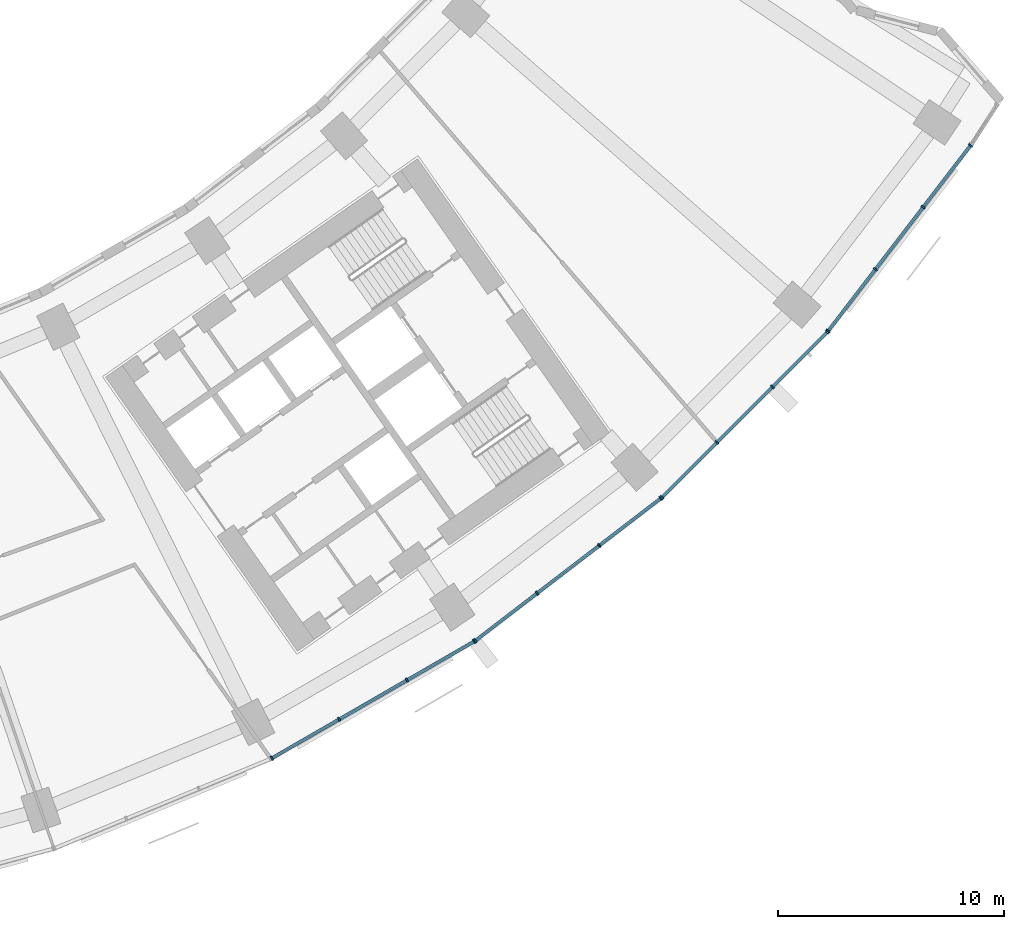
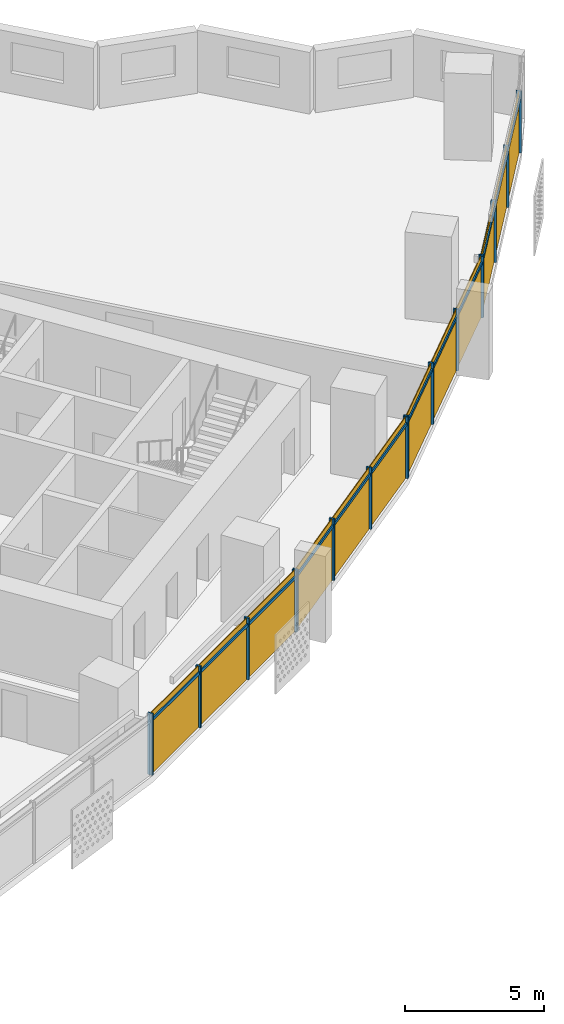
# One storey, part 23 of 31: 28 members, 4 curtain walls.
"""IFC4 building model written with IfcOpenShell, lengths in metres."""

from ifc_helpers import new_model, si_unit, direction, frame, origin, origin_2d, place, context, subcontext, project, spatial, rectangle, extrude, material, material_profile, profile_set, type_object, element, aggregate, save


model = new_model("IFC4")

# Units and contexts
model_context = context("Model", 3, precision=1e-05, world=origin(), true_north=direction((0.0, 1.0)))
body_context = subcontext(model_context, "Body", "Model", "MODEL_VIEW")
ifc_project = project(units=[si_unit("LENGTHUNIT", "METRE"), si_unit("AREAUNIT", "SQUARE_METRE"), si_unit("VOLUMEUNIT", "CUBIC_METRE"), si_unit("PLANEANGLEUNIT", "RADIAN"), si_unit("MASSUNIT", "GRAM", prefix="KILO")], contexts=[model_context])

# Member
ifc_material = material(Name="Aluminium 6063-T6 anodised", Category="aluminium")
ifc_material_profile_1 = material_profile(ifc_material, rectangle(XDim=0.199951171875, YDim=0.070068359375, at=origin_2d()))
ifc_profile_set_1 = profile_set([ifc_material_profile_1], Name="Aluminium 6063-T6 anodised")
member_type_1 = type_object("IfcMemberType", Name="Mullion 70 x 200 aluminium", PredefinedType="MULLION", material=ifc_profile_set_1)
site_placement = place(None, origin())
building_placement = place(site_placement, origin())
storey_placement = place(building_placement, frame((0.0, 0.0, 59.5)))
member_1_placement = place(storey_placement, frame((35.20849609375, -71.331787109375, 0.0), z_axis=(0.0, 0.0, 1.0), x_axis=(-0.5, 0.866025403784, 0.0)))
member_1 = element("IfcMember", 1, at=member_1_placement, type_object=member_type_1, Name="e-cw1-L11-out12/M00", PredefinedType="MULLION", context=body_context, shape_type="SweptSolid", body=[
    extrude(rectangle(XDim=0.199951171875, YDim=0.070068359375, at=origin_2d()), origin(), (0.0, 0.0, 1.0), 2.699951171875),
])

member_2_placement = place(storey_placement, frame((38.18603515625, -69.61279296875, 0.0), z_axis=(0.0, 0.0, 1.0), x_axis=(-0.5, 0.866025403784, 0.0)))
member_2 = element("IfcMember", 2, at=member_2_placement, type_object=member_type_1, Name="e-cw1-L11-out12/M01", PredefinedType="MULLION", context=body_context, shape_type="SweptSolid", body=[
    extrude(rectangle(XDim=0.199951171875, YDim=0.070068359375, at=origin_2d()), origin(), (0.0, 0.0, 1.0), 2.699951171875),
])

member_3_placement = place(storey_placement, frame((41.193603515625, -67.87646484375, 0.0), z_axis=(0.0, 0.0, 1.0), x_axis=(-0.5, 0.866025403784, 0.0)))
member_3 = element("IfcMember", 3, at=member_3_placement, type_object=member_type_1, Name="e-cw1-L11-out12/M02", PredefinedType="MULLION", context=body_context, shape_type="SweptSolid", body=[
    extrude(rectangle(XDim=0.199951171875, YDim=0.070068359375, at=origin_2d()), origin(), (0.0, 0.0, 1.0), 2.699951171875),
])

member_4_placement = place(storey_placement, frame((44.1708984375, -66.157470703125, 0.0), z_axis=(0.0, 0.0, 1.0), x_axis=(-0.5, 0.866025403784, 0.0)))
member_4 = element("IfcMember", 4, at=member_4_placement, type_object=member_type_1, Name="e-cw1-L11-out12/M03", PredefinedType="MULLION", context=body_context, shape_type="SweptSolid", body=[
    extrude(rectangle(XDim=0.199951171875, YDim=0.070068359375, at=origin_2d()), origin(), (0.0, 0.0, 1.0), 2.699951171875),
])

member_5_placement = place(storey_placement, frame((44.218017578125, -66.1259765625, 0.0), z_axis=(0.0, 0.0, 1.0), x_axis=(-0.608761429009, 0.793353340291, 0.0)))
member_5 = element("IfcMember", 5, at=member_5_placement, type_object=member_type_1, Name="e-cw1-L11-out13/M00", PredefinedType="MULLION", context=body_context, shape_type="SweptSolid", body=[
    extrude(rectangle(XDim=0.199951171875, YDim=0.070068359375, at=origin_2d()), origin(), (0.0, 0.0, 1.0), 2.699951171875),
])

member_6_placement = place(storey_placement, frame((46.945556640625, -64.032958984375, 0.0), z_axis=(0.0, 0.0, 1.0), x_axis=(-0.608761429009, 0.793353340291, 0.0)))
member_6 = element("IfcMember", 6, at=member_6_placement, type_object=member_type_1, Name="e-cw1-L11-out13/M01", PredefinedType="MULLION", context=body_context, shape_type="SweptSolid", body=[
    extrude(rectangle(XDim=0.199951171875, YDim=0.070068359375, at=origin_2d()), origin(), (0.0, 0.0, 1.0), 2.699951171875),
])

member_7_placement = place(storey_placement, frame((49.70068359375, -61.9189453125, 0.0), z_axis=(0.0, 0.0, 1.0), x_axis=(-0.608761429009, 0.793353340291, 0.0)))
member_7 = element("IfcMember", 7, at=member_7_placement, type_object=member_type_1, Name="e-cw1-L11-out13/M02", PredefinedType="MULLION", context=body_context, shape_type="SweptSolid", body=[
    extrude(rectangle(XDim=0.199951171875, YDim=0.070068359375, at=origin_2d()), origin(), (0.0, 0.0, 1.0), 2.699951171875),
])

member_8_placement = place(storey_placement, frame((52.42822265625, -59.825927734375, 0.0), z_axis=(0.0, 0.0, 1.0), x_axis=(-0.608761429009, 0.793353340291, 0.0)))
member_8 = element("IfcMember", 8, at=member_8_placement, type_object=member_type_1, Name="e-cw1-L11-out13/M03", PredefinedType="MULLION", context=body_context, shape_type="SweptSolid", body=[
    extrude(rectangle(XDim=0.199951171875, YDim=0.070068359375, at=origin_2d()), origin(), (0.0, 0.0, 1.0), 2.699951171875),
])

member_9_placement = place(storey_placement, frame((52.470947265625, -59.78857421875, 0.0), z_axis=(0.0, 0.0, 1.0), x_axis=(-0.707106781187, 0.707106781187, 0.0)))
member_9 = element("IfcMember", 9, at=member_9_placement, type_object=member_type_1, Name="e-cw1-L11-out14/M00", PredefinedType="MULLION", context=body_context, shape_type="SweptSolid", body=[
    extrude(rectangle(XDim=0.199951171875, YDim=0.070068359375, at=origin_2d()), origin(), (0.0, 0.0, 1.0), 2.699951171875),
])

member_10_placement = place(storey_placement, frame((54.90185546875, -57.357666015625, 0.0), z_axis=(0.0, 0.0, 1.0), x_axis=(-0.707106781187, 0.707106781187, 0.0)))
member_10 = element("IfcMember", 10, at=member_10_placement, type_object=member_type_1, Name="e-cw1-L11-out14/M01", PredefinedType="MULLION", context=body_context, shape_type="SweptSolid", body=[
    extrude(rectangle(XDim=0.199951171875, YDim=0.070068359375, at=origin_2d()), origin(), (0.0, 0.0, 1.0), 2.699951171875),
])

member_11_placement = place(storey_placement, frame((57.357666015625, -54.90185546875, 0.0), z_axis=(0.0, 0.0, 1.0), x_axis=(-0.707106781187, 0.707106781187, 0.0)))
member_11 = element("IfcMember", 11, at=member_11_placement, type_object=member_type_1, Name="e-cw1-L11-out14/M02", PredefinedType="MULLION", context=body_context, shape_type="SweptSolid", body=[
    extrude(rectangle(XDim=0.199951171875, YDim=0.070068359375, at=origin_2d()), origin(), (0.0, 0.0, 1.0), 2.699951171875),
])

member_12_placement = place(storey_placement, frame((59.78857421875, -52.470947265625, 0.0), z_axis=(0.0, 0.0, 1.0), x_axis=(-0.707106781187, 0.707106781187, 0.0)))
member_12 = element("IfcMember", 12, at=member_12_placement, type_object=member_type_1, Name="e-cw1-L11-out14/M03", PredefinedType="MULLION", context=body_context, shape_type="SweptSolid", body=[
    extrude(rectangle(XDim=0.199951171875, YDim=0.070068359375, at=origin_2d()), origin(), (0.0, 0.0, 1.0), 2.699951171875),
])

member_13_placement = place(storey_placement, frame((59.825927734375, -52.42822265625, 0.0), z_axis=(0.0, 0.0, 1.0), x_axis=(-0.793353340291, 0.608761429009, 0.0)))
member_13 = element("IfcMember", 13, at=member_13_placement, type_object=member_type_1, Name="e-cw1-L11-out15/M00", PredefinedType="MULLION", context=body_context, shape_type="SweptSolid", body=[
    extrude(rectangle(XDim=0.199951171875, YDim=0.070068359375, at=origin_2d()), origin(), (0.0, 0.0, 1.0), 2.699951171875),
])

member_14_placement = place(storey_placement, frame((61.9189453125, -49.70068359375, 0.0), z_axis=(0.0, 0.0, 1.0), x_axis=(-0.793353340291, 0.608761429009, 0.0)))
member_14 = element("IfcMember", 14, at=member_14_placement, type_object=member_type_1, Name="e-cw1-L11-out15/M01", PredefinedType="MULLION", context=body_context, shape_type="SweptSolid", body=[
    extrude(rectangle(XDim=0.199951171875, YDim=0.070068359375, at=origin_2d()), origin(), (0.0, 0.0, 1.0), 2.699951171875),
])

member_15_placement = place(storey_placement, frame((64.032958984375, -46.945556640625, 0.0), z_axis=(0.0, 0.0, 1.0), x_axis=(-0.793353340291, 0.608761429009, 0.0)))
member_15 = element("IfcMember", 15, at=member_15_placement, type_object=member_type_1, Name="e-cw1-L11-out15/M02", PredefinedType="MULLION", context=body_context, shape_type="SweptSolid", body=[
    extrude(rectangle(XDim=0.199951171875, YDim=0.070068359375, at=origin_2d()), origin(), (0.0, 0.0, 1.0), 2.699951171875),
])

member_16_placement = place(storey_placement, frame((66.1259765625, -44.218017578125, 0.0), z_axis=(0.0, 0.0, 1.0), x_axis=(-0.793353340291, 0.608761429009, 0.0)))
member_16 = element("IfcMember", 16, at=member_16_placement, type_object=member_type_1, Name="e-cw1-L11-out15/M03", PredefinedType="MULLION", context=body_context, shape_type="SweptSolid", body=[
    extrude(rectangle(XDim=0.199951171875, YDim=0.070068359375, at=origin_2d()), origin(), (0.0, 0.0, 1.0), 2.699951171875),
])

ifc_material_profile_2 = material_profile(ifc_material, rectangle(XDim=0.139892578125, YDim=0.1201171875, at=origin_2d()))
ifc_profile_set_2 = profile_set([ifc_material_profile_2], Name="Aluminium 6063-T6 anodised")
member_type_2 = type_object("IfcMemberType", Name="Transom 120 x 140 aluminium", PredefinedType="USERDEFINED", material=ifc_profile_set_2)
member_17_placement = place(storey_placement, frame((35.239013671875, -71.314208984375, 2.39990234375), z_axis=(0.866026229868, 0.499998569178, 0.0), x_axis=(-0.499998569178, 0.866026229868, 0.0)))
member_17 = element("IfcMember", 17, at=member_17_placement, type_object=member_type_2, Name="e-cw1-L11-out12/T00", ObjectType="TRANSOM", PredefinedType="USERDEFINED", context=body_context, shape_type="SweptSolid", body=[
    extrude(rectangle(XDim=0.139892578125, YDim=0.1201171875, at=origin_2d()), origin(), (0.0, 0.0, 1.0), 3.36767578125),
])

member_18_placement = place(storey_placement, frame((38.21630859375, -69.595458984375, 2.39990234375), z_axis=(0.866000398227, 0.500043308395, 0.0), x_axis=(-0.500043308395, 0.866000398227, 0.0)))
member_18 = element("IfcMember", 18, at=member_18_placement, type_object=member_type_2, Name="e-cw1-L11-out12/T01", ObjectType="TRANSOM", PredefinedType="USERDEFINED", context=body_context, shape_type="SweptSolid", body=[
    extrude(rectangle(XDim=0.139892578125, YDim=0.1201171875, at=origin_2d()), origin(), (0.0, 0.0, 1.0), 3.403076171875),
])

member_19_placement = place(storey_placement, frame((41.223876953125, -67.85888671875, 2.39990234375), z_axis=(0.866044351828, 0.49996717959, 0.0), x_axis=(-0.49996717959, 0.866044351828, 0.0)))
member_19 = element("IfcMember", 19, at=member_19_placement, type_object=member_type_2, Name="e-cw1-L11-out12/T02", ObjectType="TRANSOM", PredefinedType="USERDEFINED", context=body_context, shape_type="SweptSolid", body=[
    extrude(rectangle(XDim=0.139892578125, YDim=0.1201171875, at=origin_2d()), origin(), (0.0, 0.0, 1.0), 3.367919921875),
])

member_20_placement = place(storey_placement, frame((44.245849609375, -66.1044921875, 2.39990234375), z_axis=(0.793375276742, 0.608732839803, 0.0), x_axis=(-0.608732839803, 0.793375276742, 0.0)))
member_20 = element("IfcMember", 20, at=member_20_placement, type_object=member_type_2, Name="e-cw1-L11-out13/T00", ObjectType="TRANSOM", PredefinedType="USERDEFINED", context=body_context, shape_type="SweptSolid", body=[
    extrude(rectangle(XDim=0.139892578125, YDim=0.1201171875, at=origin_2d()), origin(), (0.0, 0.0, 1.0), 3.36767578125),
])

member_21_placement = place(storey_placement, frame((46.973388671875, -64.01171875, 2.39990234375), z_axis=(0.793356868815, 0.60875683052, 0.0), x_axis=(-0.60875683052, 0.793356868815, 0.0)))
member_21 = element("IfcMember", 21, at=member_21_placement, type_object=member_type_2, Name="e-cw1-L11-out13/T01", ObjectType="TRANSOM", PredefinedType="USERDEFINED", context=body_context, shape_type="SweptSolid", body=[
    extrude(rectangle(XDim=0.139892578125, YDim=0.1201171875, at=origin_2d()), origin(), (0.0, 0.0, 1.0), 3.40283203125),
])

member_22_placement = place(storey_placement, frame((49.728515625, -61.8974609375, 2.39990234375), z_axis=(0.793375276742, 0.608732839803, 0.0), x_axis=(-0.608732839803, 0.793375276742, 0.0)))
member_22 = element("IfcMember", 22, at=member_22_placement, type_object=member_type_2, Name="e-cw1-L11-out13/T02", ObjectType="TRANSOM", PredefinedType="USERDEFINED", context=body_context, shape_type="SweptSolid", body=[
    extrude(rectangle(XDim=0.139892578125, YDim=0.1201171875, at=origin_2d()), origin(), (0.0, 0.0, 1.0), 3.36767578125),
])

member_23_placement = place(storey_placement, frame((52.49560546875, -59.763916015625, 2.39990234375), z_axis=(0.707106781187, 0.707106781187, 0.0), x_axis=(-0.707106781187, 0.707106781187, 0.0)))
member_23 = element("IfcMember", 23, at=member_23_placement, type_object=member_type_2, Name="e-cw1-L11-out14/T00", ObjectType="TRANSOM", PredefinedType="USERDEFINED", context=body_context, shape_type="SweptSolid", body=[
    extrude(rectangle(XDim=0.139892578125, YDim=0.1201171875, at=origin_2d()), origin(), (0.0, 0.0, 1.0), 3.3681640625),
])

member_24_placement = place(storey_placement, frame((54.9267578125, -57.332763671875, 2.39990234375), z_axis=(0.707106781187, 0.707106781187, 0.0), x_axis=(-0.707106781187, 0.707106781187, 0.0)))
member_24 = element("IfcMember", 24, at=member_24_placement, type_object=member_type_2, Name="e-cw1-L11-out14/T01", ObjectType="TRANSOM", PredefinedType="USERDEFINED", context=body_context, shape_type="SweptSolid", body=[
    extrude(rectangle(XDim=0.139892578125, YDim=0.1201171875, at=origin_2d()), origin(), (0.0, 0.0, 1.0), 3.402587890625),
])

member_25_placement = place(storey_placement, frame((57.38232421875, -54.877197265625, 2.39990234375), z_axis=(0.707106781187, 0.707106781187, 0.0), x_axis=(-0.707106781187, 0.707106781187, 0.0)))
member_25 = element("IfcMember", 25, at=member_25_placement, type_object=member_type_2, Name="e-cw1-L11-out14/T02", ObjectType="TRANSOM", PredefinedType="USERDEFINED", context=body_context, shape_type="SweptSolid", body=[
    extrude(rectangle(XDim=0.139892578125, YDim=0.1201171875, at=origin_2d()), origin(), (0.0, 0.0, 1.0), 3.3681640625),
])

member_26_placement = place(storey_placement, frame((59.847412109375, -52.400390625, 2.39990234375), z_axis=(0.608732839803, 0.793375276742, 0.0), x_axis=(-0.793375276742, 0.608732839803, 0.0)))
member_26 = element("IfcMember", 26, at=member_26_placement, type_object=member_type_2, Name="e-cw1-L11-out15/T00", ObjectType="TRANSOM", PredefinedType="USERDEFINED", context=body_context, shape_type="SweptSolid", body=[
    extrude(rectangle(XDim=0.139892578125, YDim=0.1201171875, at=origin_2d()), origin(), (0.0, 0.0, 1.0), 3.36767578125),
])

member_27_placement = place(storey_placement, frame((61.940185546875, -49.673095703125, 2.39990234375), z_axis=(0.60875683052, 0.793356868815, 0.0), x_axis=(-0.793356868815, 0.60875683052, 0.0)))
member_27 = element("IfcMember", 27, at=member_27_placement, type_object=member_type_2, Name="e-cw1-L11-out15/T01", ObjectType="TRANSOM", PredefinedType="USERDEFINED", context=body_context, shape_type="SweptSolid", body=[
    extrude(rectangle(XDim=0.139892578125, YDim=0.1201171875, at=origin_2d()), origin(), (0.0, 0.0, 1.0), 3.40283203125),
])

member_28_placement = place(storey_placement, frame((64.054443359375, -46.917724609375, 2.39990234375), z_axis=(0.608732839803, 0.793375276742, 0.0), x_axis=(-0.793375276742, 0.608732839803, 0.0)))
member_28 = element("IfcMember", 28, at=member_28_placement, type_object=member_type_2, Name="e-cw1-L11-out15/T02", ObjectType="TRANSOM", PredefinedType="USERDEFINED", context=body_context, shape_type="SweptSolid", body=[
    extrude(rectangle(XDim=0.139892578125, YDim=0.1201171875, at=origin_2d()), origin(), (0.0, 0.0, 1.0), 3.36767578125),
])

# Site, building, storey
site = spatial("IfcSite", under=ifc_project, at=site_placement, CompositionType="ELEMENT")
building = spatial("IfcBuilding", under=site, at=building_placement, Name="Qamariyya Broadcast Tower", CompositionType="ELEMENT")
storey = spatial("IfcBuildingStorey", under=building, at=storey_placement, Name="L11", CompositionType="ELEMENT", Elevation=59.5)

# Curtain wall
curtain_wall_type = type_object("IfcCurtainWallType", Name="Unitised curtain wall, anodised aluminium", PredefinedType="NOTDEFINED", material=ifc_material)
curtain_wall_1_placement = place(storey_placement, origin())
curtain_wall_1 = element("IfcCurtainWall", 29, at=curtain_wall_1_placement, inside=storey, type_object=curtain_wall_type, Name="e-cw1-L11-out12", PredefinedType="NOTDEFINED", context=body_context, shape_type="SweptSolid", body=[
    extrude(rectangle(XDim=3.367919921875, YDim=0.031982421875, at=origin_2d()), frame((36.697265625, -70.472412109375, 0.0), x_axis=(0.86602247392, 0.500005074639, 0.0)), (0.0, 0.0, 1.0), 2.340087890625),
    extrude(rectangle(XDim=3.367919921875, YDim=0.031982421875, at=origin_2d()), frame((36.697265625, -70.472412109375, 2.4599609375), x_axis=(0.86602247392, 0.500005074639, 0.0)), (0.0, 0.0, 1.0), 0.239990234375),
    extrude(rectangle(XDim=3.40283203125, YDim=0.031982421875, at=origin_2d()), frame((39.689697265625, -68.74462890625, 0.0), x_axis=(0.86602247392, 0.500005074639, 0.0)), (0.0, 0.0, 1.0), 2.340087890625),
    extrude(rectangle(XDim=3.40283203125, YDim=0.031982421875, at=origin_2d()), frame((39.689697265625, -68.74462890625, 2.4599609375), x_axis=(0.86602247392, 0.500005074639, 0.0)), (0.0, 0.0, 1.0), 0.239990234375),
    extrude(rectangle(XDim=3.367919921875, YDim=0.031982421875, at=origin_2d()), frame((42.68212890625, -67.016845703125, 0.0), x_axis=(0.86602247392, 0.500005074639, 0.0)), (0.0, 0.0, 1.0), 2.340087890625),
    extrude(rectangle(XDim=3.367919921875, YDim=0.031982421875, at=origin_2d()), frame((42.68212890625, -67.016845703125, 2.4599609375), x_axis=(0.86602247392, 0.500005074639, 0.0)), (0.0, 0.0, 1.0), 0.239990234375),
])

aggregate(curtain_wall_1, [member_1, member_2, member_3, member_4, member_17, member_18, member_19])

curtain_wall_2_placement = place(storey_placement, origin())
curtain_wall_2 = element("IfcCurtainWall", 30, at=curtain_wall_2_placement, inside=storey, type_object=curtain_wall_type, Name="e-cw1-L11-out13", PredefinedType="NOTDEFINED", context=body_context, shape_type="SweptSolid", body=[
    extrude(rectangle(XDim=3.367919921875, YDim=0.031982421875, at=origin_2d()), frame((45.581787109375, -65.07958984375, 0.0), x_axis=(0.79335775203, 0.608755679475, 0.0)), (0.0, 0.0, 1.0), 2.340087890625),
    extrude(rectangle(XDim=3.367919921875, YDim=0.031982421875, at=origin_2d()), frame((45.581787109375, -65.07958984375, 2.4599609375), x_axis=(0.79335775203, 0.608755679475, 0.0)), (0.0, 0.0, 1.0), 0.239990234375),
    extrude(rectangle(XDim=3.40283203125, YDim=0.031982421875, at=origin_2d()), frame((48.3232421875, -62.97607421875, 0.0), x_axis=(0.79335775203, 0.608755679475, 0.0)), (0.0, 0.0, 1.0), 2.340087890625),
    extrude(rectangle(XDim=3.40283203125, YDim=0.031982421875, at=origin_2d()), frame((48.3232421875, -62.97607421875, 2.4599609375), x_axis=(0.79335775203, 0.608755679475, 0.0)), (0.0, 0.0, 1.0), 0.239990234375),
    extrude(rectangle(XDim=3.367919921875, YDim=0.031982421875, at=origin_2d()), frame((51.064453125, -60.872314453125, 0.0), x_axis=(0.79335775203, 0.608755679475, 0.0)), (0.0, 0.0, 1.0), 2.340087890625),
    extrude(rectangle(XDim=3.367919921875, YDim=0.031982421875, at=origin_2d()), frame((51.064453125, -60.872314453125, 2.4599609375), x_axis=(0.79335775203, 0.608755679475, 0.0)), (0.0, 0.0, 1.0), 0.239990234375),
])

aggregate(curtain_wall_2, [member_5, member_6, member_7, member_8, member_20, member_21, member_22])

curtain_wall_3_placement = place(storey_placement, origin())
curtain_wall_3 = element("IfcCurtainWall", 31, at=curtain_wall_3_placement, inside=storey, type_object=curtain_wall_type, Name="e-cw1-L11-out14", PredefinedType="NOTDEFINED", context=body_context, shape_type="SweptSolid", body=[
    extrude(rectangle(XDim=3.367919921875, YDim=0.031982421875, at=origin_2d()), frame((53.6865234375, -58.572998046875, 0.0), x_axis=(0.707106781187, 0.707106781187, 0.0)), (0.0, 0.0, 1.0), 2.340087890625),
    extrude(rectangle(XDim=3.367919921875, YDim=0.031982421875, at=origin_2d()), frame((53.6865234375, -58.572998046875, 2.4599609375), x_axis=(0.707106781187, 0.707106781187, 0.0)), (0.0, 0.0, 1.0), 0.239990234375),
    extrude(rectangle(XDim=3.40283203125, YDim=0.031982421875, at=origin_2d()), frame((56.1298828125, -56.1298828125, 0.0), x_axis=(0.707106781187, 0.707106781187, 0.0)), (0.0, 0.0, 1.0), 2.340087890625),
    extrude(rectangle(XDim=3.40283203125, YDim=0.031982421875, at=origin_2d()), frame((56.1298828125, -56.1298828125, 2.4599609375), x_axis=(0.707106781187, 0.707106781187, 0.0)), (0.0, 0.0, 1.0), 0.239990234375),
    extrude(rectangle(XDim=3.367919921875, YDim=0.031982421875, at=origin_2d()), frame((58.572998046875, -53.6865234375, 0.0), x_axis=(0.707106781187, 0.707106781187, 0.0)), (0.0, 0.0, 1.0), 2.340087890625),
    extrude(rectangle(XDim=3.367919921875, YDim=0.031982421875, at=origin_2d()), frame((58.572998046875, -53.6865234375, 2.4599609375), x_axis=(0.707106781187, 0.707106781187, 0.0)), (0.0, 0.0, 1.0), 0.239990234375),
])

aggregate(curtain_wall_3, [member_9, member_10, member_11, member_12, member_23, member_24, member_25])

curtain_wall_4_placement = place(storey_placement, origin())
curtain_wall_4 = element("IfcCurtainWall", 32, at=curtain_wall_4_placement, inside=storey, type_object=curtain_wall_type, Name="e-cw1-L11-out15", PredefinedType="NOTDEFINED", context=body_context, shape_type="SweptSolid", body=[
    extrude(rectangle(XDim=3.367919921875, YDim=0.031982421875, at=origin_2d()), frame((60.872314453125, -51.064453125, 0.0), x_axis=(0.608755679475, 0.79335775203, 0.0)), (0.0, 0.0, 1.0), 2.340087890625),
    extrude(rectangle(XDim=3.367919921875, YDim=0.031982421875, at=origin_2d()), frame((60.872314453125, -51.064453125, 2.4599609375), x_axis=(0.608755679475, 0.79335775203, 0.0)), (0.0, 0.0, 1.0), 0.239990234375),
    extrude(rectangle(XDim=3.40283203125, YDim=0.031982421875, at=origin_2d()), frame((62.97607421875, -48.3232421875, 0.0), x_axis=(0.608755679475, 0.79335775203, 0.0)), (0.0, 0.0, 1.0), 2.340087890625),
    extrude(rectangle(XDim=3.40283203125, YDim=0.031982421875, at=origin_2d()), frame((62.97607421875, -48.3232421875, 2.4599609375), x_axis=(0.608755679475, 0.79335775203, 0.0)), (0.0, 0.0, 1.0), 0.239990234375),
    extrude(rectangle(XDim=3.367919921875, YDim=0.031982421875, at=origin_2d()), frame((65.07958984375, -45.581787109375, 0.0), x_axis=(0.608755679475, 0.79335775203, 0.0)), (0.0, 0.0, 1.0), 2.340087890625),
    extrude(rectangle(XDim=3.367919921875, YDim=0.031982421875, at=origin_2d()), frame((65.07958984375, -45.581787109375, 2.4599609375), x_axis=(0.608755679475, 0.79335775203, 0.0)), (0.0, 0.0, 1.0), 0.239990234375),
])

aggregate(curtain_wall_4, [member_13, member_14, member_15, member_16, member_26, member_27, member_28])

save(model, "model.ifc")
